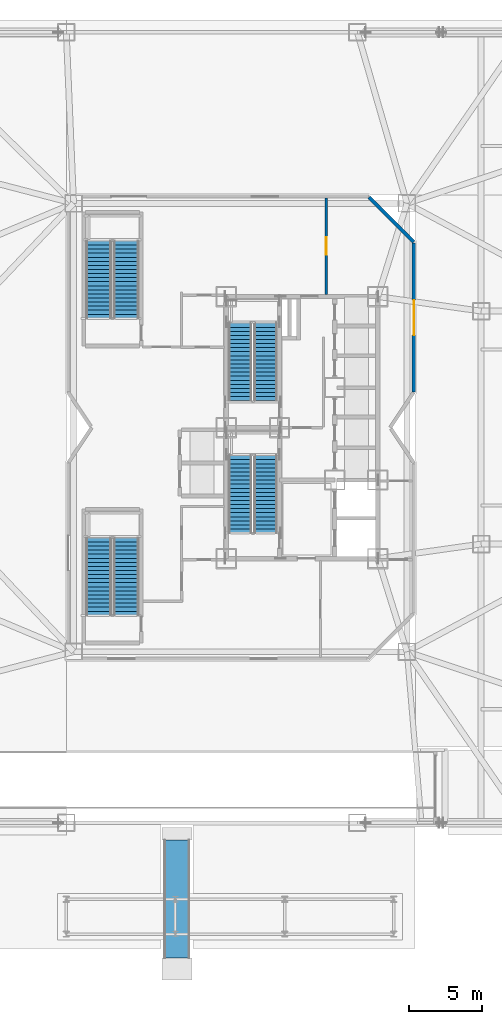
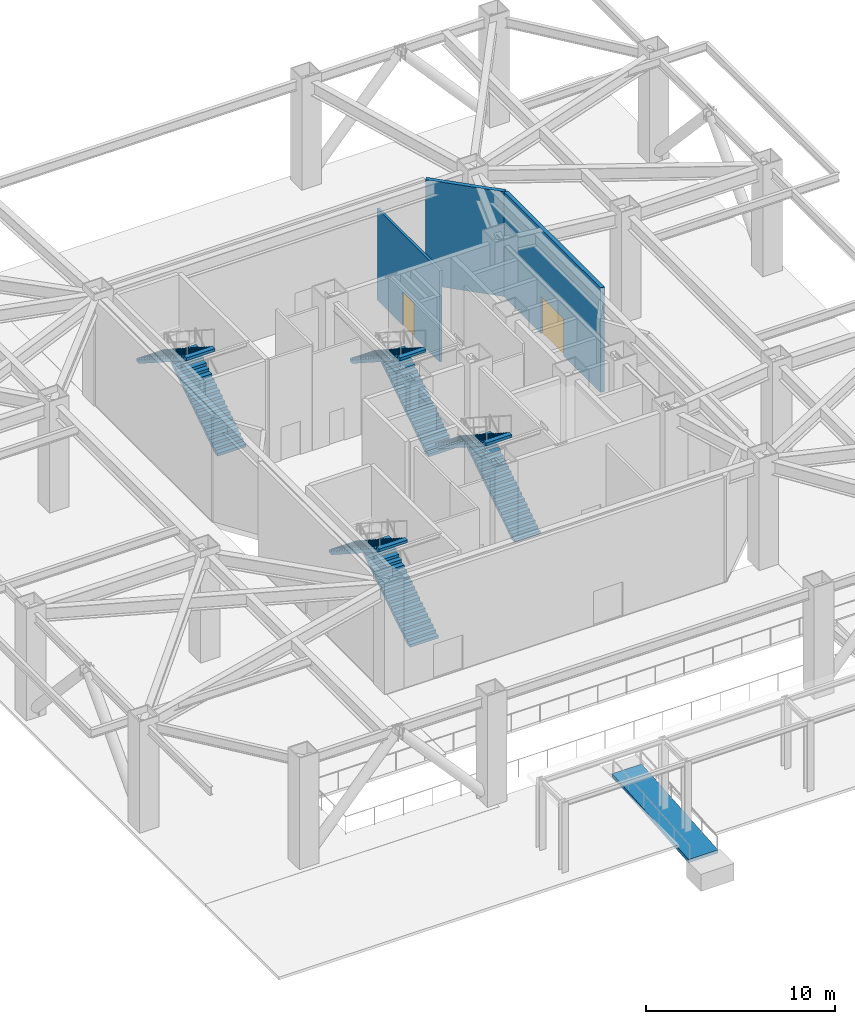
# One storey, part 11 of 14: 8 stair flights, 3 walls, 2 doors, 1 ramp flight, 2 openings, 5 elements without a shape of their own.
"""IFC4 building model written with IfcOpenShell, lengths in metres."""

from ifc_helpers import new_model, si_unit, direction, frame, frame_2d, origin, place, context, subcontext, project, spatial, polyline, rectangle, outline, extrude, material, layer, layer_set, type_object, element, fill, aggregate, save


model = new_model("IFC4")

# Units and contexts
model_context = context("Model", 3, precision=1e-05, world=origin(), true_north=direction((0.0, 1.0)))
body_context = subcontext(model_context, "Body", "Model", "MODEL_VIEW")
ifc_project = project(units=[si_unit("LENGTHUNIT", "METRE"), si_unit("AREAUNIT", "SQUARE_METRE"), si_unit("VOLUMEUNIT", "CUBIC_METRE"), si_unit("PLANEANGLEUNIT", "RADIAN"), si_unit("MASSUNIT", "GRAM", prefix="KILO")], contexts=[model_context])

# Site, building, storey
site_placement = place(None, origin())
site = spatial("IfcSite", under=ifc_project, at=site_placement, CompositionType="ELEMENT")
building_placement = place(site_placement, origin())
building = spatial("IfcBuilding", under=site, at=building_placement, Name="Khamvora Tower", CompositionType="ELEMENT")
storey_placement = place(building_placement, origin())
storey = spatial("IfcBuildingStorey", under=building, at=storey_placement, Name="L00", CompositionType="ELEMENT", Elevation=0.0)

# Wall, opening, door
ifc_material_1 = material(Name="Fire-Rated Drywall and Steel Stud", Category="steel")
ifc_layer_1 = layer(ifc_material_1, 0.14990234375)
ifc_layer_set_1 = layer_set([ifc_layer_1], Name="Fire-Rated Drywall and Steel Stud")
wall_type_1 = type_object("IfcWallType", Name="WAL-CORR-150", PredefinedType="STANDARD", material=ifc_layer_set_1)
wall_1_placement = place(storey_placement, frame((35.864990234375, 43.7880859375, 0.0), z_axis=(0.0, 0.0, 1.0), x_axis=(0.0, -1.0, 0.0)))
wall_1 = element("IfcWall", 1, at=wall_1_placement, inside=storey, type_object=wall_type_1, Name="L00 interior partition wall 008", PredefinedType="STANDARD", context=body_context, shape_type="SweptSolid", body=[
    extrude(rectangle(XDim=6.64404296875, YDim=0.14990234375, at=frame_2d((3.322021484375, 0.0))), origin(), (0.0, 0.0, 1.0), 5.9150390625),
])
opening_1_placement = place(wall_1_placement, frame((2.721923828125, 0.0, 0.0)))
opening_1 = element("IfcOpeningElement", 2, at=opening_1_placement, cuts=wall_1, Name="Opening D-CR1", PredefinedType="OPENING", context=body_context, shape_type="SweptSolid", body=[
    extrude(rectangle(XDim=1.199951171875, YDim=2.14990234375, at=frame_2d((0.60009765625, 1.074951171875))), frame((0.0, 0.0849609375, 0.0), z_axis=(0.0, -1.0, 0.0), x_axis=(1.0, 0.0, 0.0)), (0.0, 0.0, 1.0), 0.169921875),
])
ifc_material_2 = material(Name="Powder-Coated Steel and Hardwood Leaf", Category="steel")
door_type_1 = type_object("IfcDoorType", Name="DOR-CORR-1200", OperationType="NOTDEFINED", PredefinedType="DOOR", material=ifc_material_2)
door_1_placement = place(opening_1_placement, origin())
door_1 = element("IfcDoor", 3, at=door_1_placement, inside=storey, type_object=door_type_1, Name="L00 interior door EXPN-RLOB", OperationType="SINGLE_SWING_LEFT", OverallHeight=2.14990234375, OverallWidth=1.199951171875, PredefinedType="DOOR", context=body_context, shape_type="SweptSolid", body=[
    extrude(rectangle(XDim=1.199951171875, YDim=2.14990234375, at=frame_2d((0.60009765625, 1.074951171875))), frame((0.0, 0.02490234375, 0.0), z_axis=(0.0, -1.0, 0.0), x_axis=(1.0, 0.0, 0.0)), (0.0, 0.0, 1.0), 0.050048828125),
])
fill(opening_1, door_1)

# Wall
ifc_material_3 = material(Name="Precast concrete C40/50", Category="concrete")
ifc_layer_2 = layer(ifc_material_3, 0.239990234375)
ifc_layer_set_2 = layer_set([ifc_layer_2], Name="Precast concrete C40/50")
wall_type_2 = type_object("IfcWallType", Name="WAL-EXT-240", PredefinedType="STANDARD", material=ifc_layer_set_2)
wall_2_placement = place(storey_placement, frame((38.802978515625, 43.826904296875, 0.0), z_axis=(0.0, 0.0, 1.0), x_axis=(0.707106781187, -0.707106781187, 0.0)))
element("IfcWall", 4, at=wall_2_placement, inside=storey, type_object=wall_type_2, Name="L00 plinth enclosure wall C51", PredefinedType="STANDARD", context=body_context, shape_type="SweptSolid", body=[
    extrude(rectangle(XDim=4.351318359375, YDim=0.239990234375, at=frame_2d((2.17578125, 0.0))), origin(), (0.0, 0.0, 1.0), 6.780029296875),
])

# Wall, opening, door
wall_3_placement = place(storey_placement, frame((41.8798828125, 40.672119140625, 0.0), z_axis=(0.0, 0.0, 1.0), x_axis=(0.0, -1.0, 0.0)))
wall_3 = element("IfcWall", 5, at=wall_3_placement, inside=storey, type_object=wall_type_2, Name="L00 plinth enclosure wall E1", PredefinedType="STANDARD", context=body_context, shape_type="SweptSolid", body=[
    extrude(rectangle(XDim=10.236083984375, YDim=0.239990234375, at=frame_2d((5.1181640625, 0.0))), origin(), (0.0, 0.0, 1.0), 6.780029296875),
])
opening_2_placement = place(wall_3_placement, frame((3.91796875, 0.0, 0.0)))
opening_2 = element("IfcOpeningElement", 6, at=opening_2_placement, cuts=wall_3, Name="Opening ED-01", PredefinedType="OPENING", context=body_context, shape_type="SweptSolid", body=[
    extrude(rectangle(XDim=2.39990234375, YDim=2.39990234375, at=frame_2d((1.199951171875, 1.199951171875))), frame((0.0, 0.1298828125, 0.0), z_axis=(0.0, -1.0, 0.0), x_axis=(1.0, 0.0, 0.0)), (0.0, 0.0, 1.0), 0.260009765625),
])
ifc_material_4 = material(Name="Anodised Aluminium and Laminated Safety Glass", Category="aluminium")
door_type_2 = type_object("IfcDoorType", Name="DOR-EXT-2400", OperationType="DOUBLE_DOOR_SINGLE_SWING", PredefinedType="DOOR", material=ifc_material_4)
door_2_placement = place(opening_2_placement, origin())
door_2 = element("IfcDoor", 7, at=door_2_placement, inside=storey, type_object=door_type_2, Name="L00 tower east foyer double entrance door", OperationType="SINGLE_SWING_LEFT", OverallHeight=2.39990234375, OverallWidth=2.39990234375, PredefinedType="DOOR", context=body_context, shape_type="SweptSolid", body=[
    extrude(rectangle(XDim=2.39990234375, YDim=2.39990234375, at=frame_2d((1.199951171875, 1.199951171875))), frame((0.0, 0.02490234375, 0.0), z_axis=(0.0, -1.0, 0.0), x_axis=(1.0, 0.0, 0.0)), (0.0, 0.0, 1.0), 0.050048828125),
])
fill(opening_2, door_2)

# Stair, stair flights
ifc_material_5 = material(Name="Concrete C40/50", Category="concrete")
stair_type_1 = type_object("IfcStairType", Name="STR-ST-01", PredefinedType="HALF_TURN_STAIR", material=ifc_material_5)
stair_1_placement = place(storey_placement, origin())
stair_1 = element("IfcStair", 8, at=stair_1_placement, inside=storey, type_object=stair_type_1, Name="L00 South Tower Exit Stair ST-01", PredefinedType="HALF_TURN_STAIR")
stair_flight_type_1 = type_object("IfcStairFlightType", Name="STF-ST-01", PredefinedType="STRAIGHT", material=ifc_material_5)
stair_flight_1_placement = place(storey_placement, frame((31.699951171875, 20.75, 0.0), z_axis=(0.0, 0.0, 1.0), x_axis=(0.0, 1.0, 0.0)))
stair_flight_1 = element("IfcStairFlight", 9, at=stair_flight_1_placement, type_object=stair_flight_type_1, Name="ST-01 flight 1", NumberOfRisers=20, NumberOfTreads=19, PredefinedType="STRAIGHT", RiserHeight=0.18, TreadLength=0.28, context=body_context, shape_type="SweptSolid", body=[
    extrude(outline(polyline([(0.0, 0.0), (0.0, 0.179931640625), (0.280029296875, 0.179931640625), (0.280029296875, 0.360107421875), (0.56005859375, 0.360107421875), (0.56005859375, 0.5400390625), (0.840087890625, 0.5400390625), (0.840087890625, 0.719970703125), (1.1201171875, 0.719970703125), (1.1201171875, 0.89990234375), (1.39990234375, 0.89990234375), (1.39990234375, 1.080078125), (1.679931640625, 1.080078125), (1.679931640625, 1.260009765625), (1.9599609375, 1.260009765625), (1.9599609375, 1.43994140625), (2.239990234375, 1.43994140625), (2.239990234375, 1.6201171875), (2.52001953125, 1.6201171875), (2.52001953125, 1.800048828125), (2.800048828125, 1.800048828125), (2.800048828125, 1.97998046875), (3.080078125, 1.97998046875), (3.080078125, 2.159912109375), (3.360107421875, 2.159912109375), (3.360107421875, 2.340087890625), (3.639892578125, 2.340087890625), (3.639892578125, 2.52001953125), (3.919921875, 2.52001953125), (3.919921875, 2.699951171875), (4.199951171875, 2.699951171875), (4.199951171875, 2.8798828125), (4.47998046875, 2.8798828125), (4.47998046875, 3.06005859375), (4.760009765625, 3.06005859375), (4.760009765625, 3.239990234375), (5.0400390625, 3.239990234375), (5.0400390625, 3.419921875), (5.320068359375, 3.419921875), (5.320068359375, 3.60009765625), (5.320068359375, 3.24169921875), (0.277099609375, 0.0), (0.0, 0.0)])), frame((0.0, 0.800048828125, 0.0), z_axis=(0.0, -1.0, 0.0), x_axis=(1.0, 0.0, 0.0)), (0.0, 0.0, 1.0), 1.60009765625),
])
stair_flight_2_placement = place(storey_placement, frame((29.949951171875, 26.070068359375, 3.60009765625), z_axis=(0.0, 0.0, 1.0), x_axis=(0.0, -1.0, 0.0)))
stair_flight_2 = element("IfcStairFlight", 10, at=stair_flight_2_placement, type_object=stair_flight_type_1, Name="ST-01 flight 2", NumberOfRisers=20, NumberOfTreads=19, PredefinedType="STRAIGHT", RiserHeight=0.18, TreadLength=0.28, context=body_context, shape_type="SweptSolid", body=[
    extrude(outline(polyline([(0.0, 0.0), (0.0, 0.179931640625), (0.280029296875, 0.179931640625), (0.280029296875, 0.360107421875), (0.56005859375, 0.360107421875), (0.56005859375, 0.5400390625), (0.840087890625, 0.5400390625), (0.840087890625, 0.719970703125), (1.1201171875, 0.719970703125), (1.1201171875, 0.89990234375), (1.39990234375, 0.89990234375), (1.39990234375, 1.080078125), (1.679931640625, 1.080078125), (1.679931640625, 1.260009765625), (1.9599609375, 1.260009765625), (1.9599609375, 1.43994140625), (2.239990234375, 1.43994140625), (2.239990234375, 1.6201171875), (2.52001953125, 1.6201171875), (2.52001953125, 1.800048828125), (2.800048828125, 1.800048828125), (2.800048828125, 1.97998046875), (3.080078125, 1.97998046875), (3.080078125, 2.159912109375), (3.360107421875, 2.159912109375), (3.360107421875, 2.340087890625), (3.639892578125, 2.340087890625), (3.639892578125, 2.52001953125), (3.919921875, 2.52001953125), (3.919921875, 2.699951171875), (4.199951171875, 2.699951171875), (4.199951171875, 2.8798828125), (4.47998046875, 2.8798828125), (4.47998046875, 3.06005859375), (4.760009765625, 3.06005859375), (4.760009765625, 3.239990234375), (5.0400390625, 3.239990234375), (5.0400390625, 3.419921875), (5.320068359375, 3.419921875), (5.320068359375, 3.60009765625), (5.320068359375, 3.24169921875), (0.277099609375, 0.0), (0.0, 0.0)])), frame((0.0, 0.800048828125, 0.0), z_axis=(0.0, -1.0, 0.0), x_axis=(1.0, 0.0, 0.0)), (0.0, 0.0, 1.0), 1.60009765625),
])
aggregate(stair_1, [stair_flight_1, stair_flight_2])

stair_type_2 = type_object("IfcStairType", Name="STR-ST-02", PredefinedType="HALF_TURN_STAIR", material=ifc_material_5)
stair_2_placement = place(storey_placement, origin())
stair_2 = element("IfcStair", 11, at=stair_2_placement, inside=storey, type_object=stair_type_2, Name="L00 North Tower Exit Stair ST-02", PredefinedType="HALF_TURN_STAIR")
stair_flight_type_2 = type_object("IfcStairFlightType", Name="STF-ST-02", PredefinedType="STRAIGHT", material=ifc_material_5)
stair_flight_3_placement = place(storey_placement, frame((31.699951171875, 29.85009765625, 0.0), z_axis=(0.0, 0.0, 1.0), x_axis=(0.0, 1.0, 0.0)))
stair_flight_3 = element("IfcStairFlight", 12, at=stair_flight_3_placement, type_object=stair_flight_type_2, Name="ST-02 flight 1", NumberOfRisers=20, NumberOfTreads=19, PredefinedType="STRAIGHT", RiserHeight=0.18, TreadLength=0.28, context=body_context, shape_type="SweptSolid", body=[
    extrude(outline(polyline([(0.0, 0.0), (0.0, 0.179931640625), (0.280029296875, 0.179931640625), (0.280029296875, 0.360107421875), (0.56005859375, 0.360107421875), (0.56005859375, 0.5400390625), (0.840087890625, 0.5400390625), (0.840087890625, 0.719970703125), (1.1201171875, 0.719970703125), (1.1201171875, 0.89990234375), (1.39990234375, 0.89990234375), (1.39990234375, 1.080078125), (1.679931640625, 1.080078125), (1.679931640625, 1.260009765625), (1.9599609375, 1.260009765625), (1.9599609375, 1.43994140625), (2.239990234375, 1.43994140625), (2.239990234375, 1.6201171875), (2.52001953125, 1.6201171875), (2.52001953125, 1.800048828125), (2.800048828125, 1.800048828125), (2.800048828125, 1.97998046875), (3.080078125, 1.97998046875), (3.080078125, 2.159912109375), (3.360107421875, 2.159912109375), (3.360107421875, 2.340087890625), (3.639892578125, 2.340087890625), (3.639892578125, 2.52001953125), (3.919921875, 2.52001953125), (3.919921875, 2.699951171875), (4.199951171875, 2.699951171875), (4.199951171875, 2.8798828125), (4.47998046875, 2.8798828125), (4.47998046875, 3.06005859375), (4.760009765625, 3.06005859375), (4.760009765625, 3.239990234375), (5.0400390625, 3.239990234375), (5.0400390625, 3.419921875), (5.320068359375, 3.419921875), (5.320068359375, 3.60009765625), (5.320068359375, 3.24169921875), (0.277099609375, 0.0), (0.0, 0.0)])), frame((0.0, 0.800048828125, 0.0), z_axis=(0.0, -1.0, 0.0), x_axis=(1.0, 0.0, 0.0)), (0.0, 0.0, 1.0), 1.60009765625),
])
stair_flight_4_placement = place(storey_placement, frame((29.949951171875, 35.169921875, 3.60009765625), z_axis=(0.0, 0.0, 1.0), x_axis=(0.0, -1.0, 0.0)))
stair_flight_4 = element("IfcStairFlight", 13, at=stair_flight_4_placement, type_object=stair_flight_type_2, Name="ST-02 flight 2", NumberOfRisers=20, NumberOfTreads=19, PredefinedType="STRAIGHT", RiserHeight=0.18, TreadLength=0.28, context=body_context, shape_type="SweptSolid", body=[
    extrude(outline(polyline([(0.0, 0.0), (0.0, 0.179931640625), (0.280029296875, 0.179931640625), (0.280029296875, 0.360107421875), (0.56005859375, 0.360107421875), (0.56005859375, 0.5400390625), (0.840087890625, 0.5400390625), (0.840087890625, 0.719970703125), (1.1201171875, 0.719970703125), (1.1201171875, 0.89990234375), (1.39990234375, 0.89990234375), (1.39990234375, 1.080078125), (1.679931640625, 1.080078125), (1.679931640625, 1.260009765625), (1.9599609375, 1.260009765625), (1.9599609375, 1.43994140625), (2.239990234375, 1.43994140625), (2.239990234375, 1.6201171875), (2.52001953125, 1.6201171875), (2.52001953125, 1.800048828125), (2.800048828125, 1.800048828125), (2.800048828125, 1.97998046875), (3.080078125, 1.97998046875), (3.080078125, 2.159912109375), (3.360107421875, 2.159912109375), (3.360107421875, 2.340087890625), (3.639892578125, 2.340087890625), (3.639892578125, 2.52001953125), (3.919921875, 2.52001953125), (3.919921875, 2.699951171875), (4.199951171875, 2.699951171875), (4.199951171875, 2.8798828125), (4.47998046875, 2.8798828125), (4.47998046875, 3.06005859375), (4.760009765625, 3.06005859375), (4.760009765625, 3.239990234375), (5.0400390625, 3.239990234375), (5.0400390625, 3.419921875), (5.320068359375, 3.419921875), (5.320068359375, 3.60009765625), (5.320068359375, 3.24169921875), (0.277099609375, 0.0), (0.0, 0.0)])), frame((0.0, 0.800048828125, 0.0), z_axis=(0.0, -1.0, 0.0), x_axis=(1.0, 0.0, 0.0)), (0.0, 0.0, 1.0), 1.60009765625),
])
aggregate(stair_2, [stair_flight_3, stair_flight_4])

stair_type_3 = type_object("IfcStairType", Name="STR-ST-03", PredefinedType="HALF_TURN_STAIR", material=ifc_material_5)
stair_3_placement = place(storey_placement, origin())
stair_3 = element("IfcStair", 14, at=stair_3_placement, inside=storey, type_object=stair_type_3, Name="L00 South School Podium Stair ST-03", PredefinedType="HALF_TURN_STAIR")
stair_flight_type_3 = type_object("IfcStairFlightType", Name="STF-ST-03", PredefinedType="STRAIGHT", material=ifc_material_5)
stair_flight_5_placement = place(storey_placement, frame((22.125, 15.10009765625, 0.0), z_axis=(0.0, 0.0, 1.0), x_axis=(0.0, 1.0, 0.0)))
stair_flight_5 = element("IfcStairFlight", 15, at=stair_flight_5_placement, type_object=stair_flight_type_3, Name="ST-03 flight 1", NumberOfRisers=20, NumberOfTreads=19, PredefinedType="STRAIGHT", RiserHeight=0.18, TreadLength=0.28, context=body_context, shape_type="SweptSolid", body=[
    extrude(outline(polyline([(0.0, 0.0), (0.0, 0.179931640625), (0.280029296875, 0.179931640625), (0.280029296875, 0.360107421875), (0.56005859375, 0.360107421875), (0.56005859375, 0.5400390625), (0.840087890625, 0.5400390625), (0.840087890625, 0.719970703125), (1.1201171875, 0.719970703125), (1.1201171875, 0.89990234375), (1.39990234375, 0.89990234375), (1.39990234375, 1.080078125), (1.679931640625, 1.080078125), (1.679931640625, 1.260009765625), (1.9599609375, 1.260009765625), (1.9599609375, 1.43994140625), (2.239990234375, 1.43994140625), (2.239990234375, 1.6201171875), (2.52001953125, 1.6201171875), (2.52001953125, 1.800048828125), (2.800048828125, 1.800048828125), (2.800048828125, 1.97998046875), (3.080078125, 1.97998046875), (3.080078125, 2.159912109375), (3.360107421875, 2.159912109375), (3.360107421875, 2.340087890625), (3.639892578125, 2.340087890625), (3.639892578125, 2.52001953125), (3.919921875, 2.52001953125), (3.919921875, 2.699951171875), (4.199951171875, 2.699951171875), (4.199951171875, 2.8798828125), (4.47998046875, 2.8798828125), (4.47998046875, 3.06005859375), (4.760009765625, 3.06005859375), (4.760009765625, 3.239990234375), (5.0400390625, 3.239990234375), (5.0400390625, 3.419921875), (5.320068359375, 3.419921875), (5.320068359375, 3.60009765625), (5.320068359375, 3.24169921875), (0.277099609375, 0.0), (0.0, 0.0)])), frame((0.0, 0.875, 0.0), z_axis=(0.0, -1.0, 0.0), x_axis=(1.0, 0.0, 0.0)), (0.0, 0.0, 1.0), 1.75),
])
stair_flight_6_placement = place(storey_placement, frame((20.22509765625, 20.419921875, 3.60009765625), z_axis=(0.0, 0.0, 1.0), x_axis=(0.0, -1.0, 0.0)))
stair_flight_6 = element("IfcStairFlight", 16, at=stair_flight_6_placement, type_object=stair_flight_type_3, Name="ST-03 flight 2", NumberOfRisers=20, NumberOfTreads=19, PredefinedType="STRAIGHT", RiserHeight=0.18, TreadLength=0.28, context=body_context, shape_type="SweptSolid", body=[
    extrude(outline(polyline([(0.0, 0.0), (0.0, 0.179931640625), (0.280029296875, 0.179931640625), (0.280029296875, 0.360107421875), (0.56005859375, 0.360107421875), (0.56005859375, 0.5400390625), (0.840087890625, 0.5400390625), (0.840087890625, 0.719970703125), (1.1201171875, 0.719970703125), (1.1201171875, 0.89990234375), (1.39990234375, 0.89990234375), (1.39990234375, 1.080078125), (1.679931640625, 1.080078125), (1.679931640625, 1.260009765625), (1.9599609375, 1.260009765625), (1.9599609375, 1.43994140625), (2.239990234375, 1.43994140625), (2.239990234375, 1.6201171875), (2.52001953125, 1.6201171875), (2.52001953125, 1.800048828125), (2.800048828125, 1.800048828125), (2.800048828125, 1.97998046875), (3.080078125, 1.97998046875), (3.080078125, 2.159912109375), (3.360107421875, 2.159912109375), (3.360107421875, 2.340087890625), (3.639892578125, 2.340087890625), (3.639892578125, 2.52001953125), (3.919921875, 2.52001953125), (3.919921875, 2.699951171875), (4.199951171875, 2.699951171875), (4.199951171875, 2.8798828125), (4.47998046875, 2.8798828125), (4.47998046875, 3.06005859375), (4.760009765625, 3.06005859375), (4.760009765625, 3.239990234375), (5.0400390625, 3.239990234375), (5.0400390625, 3.419921875), (5.320068359375, 3.419921875), (5.320068359375, 3.60009765625), (5.320068359375, 3.24169921875), (0.277099609375, 0.0), (0.0, 0.0)])), frame((0.0, 0.875, 0.0), z_axis=(0.0, -1.0, 0.0), x_axis=(1.0, 0.0, 0.0)), (0.0, 0.0, 1.0), 1.75),
])
aggregate(stair_3, [stair_flight_5, stair_flight_6])

stair_type_4 = type_object("IfcStairType", Name="STR-ST-04", PredefinedType="HALF_TURN_STAIR", material=ifc_material_5)
stair_4_placement = place(storey_placement, origin())
stair_4 = element("IfcStair", 17, at=stair_4_placement, inside=storey, type_object=stair_type_4, Name="L00 North School Podium Stair ST-04", PredefinedType="HALF_TURN_STAIR")
stair_flight_type_4 = type_object("IfcStairFlightType", Name="STF-ST-04", PredefinedType="STRAIGHT", material=ifc_material_5)
stair_flight_7_placement = place(storey_placement, frame((22.125, 35.5, 0.0), z_axis=(0.0, 0.0, 1.0), x_axis=(0.0, 1.0, 0.0)))
stair_flight_7 = element("IfcStairFlight", 18, at=stair_flight_7_placement, type_object=stair_flight_type_4, Name="ST-04 flight 1", NumberOfRisers=20, NumberOfTreads=19, PredefinedType="STRAIGHT", RiserHeight=0.18, TreadLength=0.28, context=body_context, shape_type="SweptSolid", body=[
    extrude(outline(polyline([(0.0, 0.0), (0.0, 0.179931640625), (0.280029296875, 0.179931640625), (0.280029296875, 0.360107421875), (0.56005859375, 0.360107421875), (0.56005859375, 0.5400390625), (0.840087890625, 0.5400390625), (0.840087890625, 0.719970703125), (1.1201171875, 0.719970703125), (1.1201171875, 0.89990234375), (1.39990234375, 0.89990234375), (1.39990234375, 1.080078125), (1.679931640625, 1.080078125), (1.679931640625, 1.260009765625), (1.9599609375, 1.260009765625), (1.9599609375, 1.43994140625), (2.239990234375, 1.43994140625), (2.239990234375, 1.6201171875), (2.52001953125, 1.6201171875), (2.52001953125, 1.800048828125), (2.800048828125, 1.800048828125), (2.800048828125, 1.97998046875), (3.080078125, 1.97998046875), (3.080078125, 2.159912109375), (3.360107421875, 2.159912109375), (3.360107421875, 2.340087890625), (3.639892578125, 2.340087890625), (3.639892578125, 2.52001953125), (3.919921875, 2.52001953125), (3.919921875, 2.699951171875), (4.199951171875, 2.699951171875), (4.199951171875, 2.8798828125), (4.47998046875, 2.8798828125), (4.47998046875, 3.06005859375), (4.760009765625, 3.06005859375), (4.760009765625, 3.239990234375), (5.0400390625, 3.239990234375), (5.0400390625, 3.419921875), (5.320068359375, 3.419921875), (5.320068359375, 3.60009765625), (5.320068359375, 3.24169921875), (0.277099609375, 0.0), (0.0, 0.0)])), frame((0.0, 0.875, 0.0), z_axis=(0.0, -1.0, 0.0), x_axis=(1.0, 0.0, 0.0)), (0.0, 0.0, 1.0), 1.75),
])
stair_flight_8_placement = place(storey_placement, frame((20.22509765625, 40.820068359375, 3.60009765625), z_axis=(0.0, 0.0, 1.0), x_axis=(0.0, -1.0, 0.0)))
stair_flight_8 = element("IfcStairFlight", 19, at=stair_flight_8_placement, type_object=stair_flight_type_4, Name="ST-04 flight 2", NumberOfRisers=20, NumberOfTreads=19, PredefinedType="STRAIGHT", RiserHeight=0.18, TreadLength=0.28, context=body_context, shape_type="SweptSolid", body=[
    extrude(outline(polyline([(0.0, 0.0), (0.0, 0.179931640625), (0.280029296875, 0.179931640625), (0.280029296875, 0.360107421875), (0.56005859375, 0.360107421875), (0.56005859375, 0.5400390625), (0.840087890625, 0.5400390625), (0.840087890625, 0.719970703125), (1.1201171875, 0.719970703125), (1.1201171875, 0.89990234375), (1.39990234375, 0.89990234375), (1.39990234375, 1.080078125), (1.679931640625, 1.080078125), (1.679931640625, 1.260009765625), (1.9599609375, 1.260009765625), (1.9599609375, 1.43994140625), (2.239990234375, 1.43994140625), (2.239990234375, 1.6201171875), (2.52001953125, 1.6201171875), (2.52001953125, 1.800048828125), (2.800048828125, 1.800048828125), (2.800048828125, 1.97998046875), (3.080078125, 1.97998046875), (3.080078125, 2.159912109375), (3.360107421875, 2.159912109375), (3.360107421875, 2.340087890625), (3.639892578125, 2.340087890625), (3.639892578125, 2.52001953125), (3.919921875, 2.52001953125), (3.919921875, 2.699951171875), (4.199951171875, 2.699951171875), (4.199951171875, 2.8798828125), (4.47998046875, 2.8798828125), (4.47998046875, 3.06005859375), (4.760009765625, 3.06005859375), (4.760009765625, 3.239990234375), (5.0400390625, 3.239990234375), (5.0400390625, 3.419921875), (5.320068359375, 3.419921875), (5.320068359375, 3.60009765625), (5.320068359375, 3.24169921875), (0.277099609375, 0.0), (0.0, 0.0)])), frame((0.0, 0.875, 0.0), z_axis=(0.0, -1.0, 0.0), x_axis=(1.0, 0.0, 0.0)), (0.0, 0.0, 1.0), 1.75),
])
aggregate(stair_4, [stair_flight_7, stair_flight_8])

# Ramp, ramp flight
ifc_material_6 = material(Name="Concrete C35/45", Category="concrete")
ramp_type = type_object("IfcRampType", Name="RMP-EXT-1800", PredefinedType="STRAIGHT_RUN_RAMP", material=ifc_material_6)
ramp_placement = place(storey_placement, origin())
ramp = element("IfcRamp", 20, at=ramp_placement, inside=storey, type_object=ramp_type, Name="South Entrance Step-Free Accessible Ramp RMP-01", PredefinedType="STRAIGHT_RUN_RAMP")
ifc_layer_3 = layer(ifc_material_6, 0.219970703125)
ifc_layer_set_3 = layer_set([ifc_layer_3], Name="Concrete C35/45")
ramp_flight_type = type_object("IfcRampFlightType", Name="RMF-EXT-1800", PredefinedType="STRAIGHT", material=ifc_layer_set_3)
ramp_flight_placement = place(storey_placement, frame((26.5, -8.449951171875, -0.64990234375), z_axis=(0.0, -0.079979273422, 0.996796526791), x_axis=(0.0, 0.996796526791, 0.079979273422)))
ramp_flight = element("IfcRampFlight", 21, at=ramp_flight_placement, type_object=ramp_flight_type, Name="South Entrance Step-Free Accessible Ramp RMP-01 flight", PredefinedType="STRAIGHT", context=body_context, shape_type="SweptSolid", body=[
    extrude(outline(polyline([(0.0, 0.0), (8.125884569140423, 0.0), (8.125884569140423, 1.800048828125), (0.0, 1.800048828125), (0.0, 0.0)])), origin(), (0.0, 0.0, -1.0), 0.219970703125),
])
aggregate(ramp, [ramp_flight])

save(model, "model.ifc")
